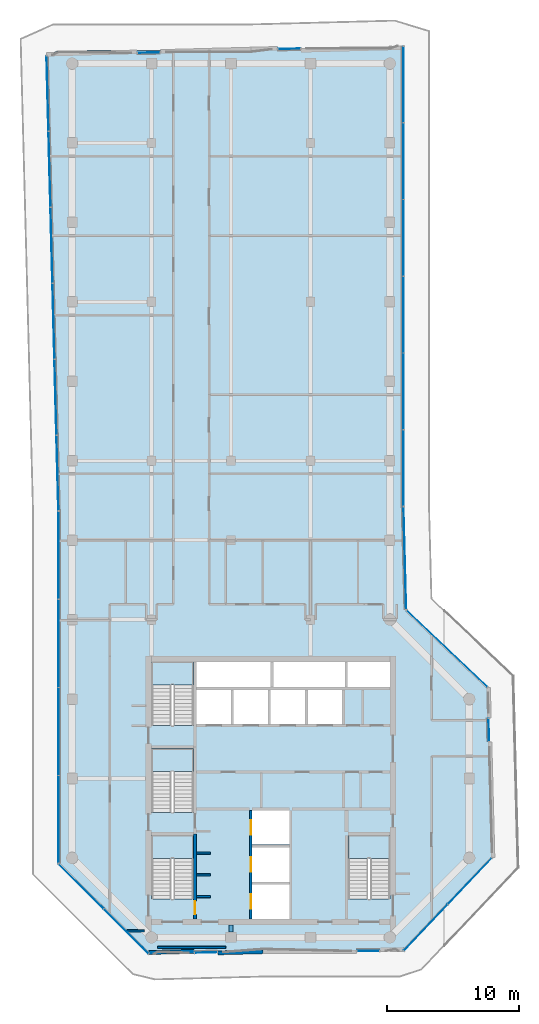
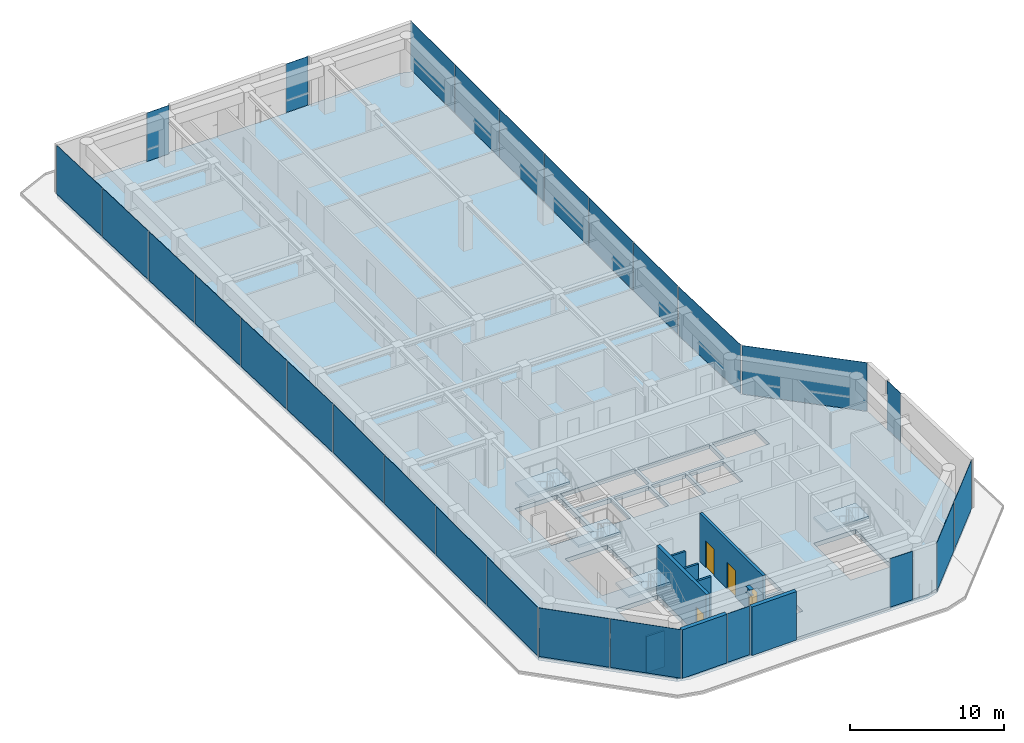
# One storey, part 15 of 20: 27 plates, 9 walls, 5 slabs, 4 doors, 1 beam, 4 openings, 16 elements without a shape of their own.
"""IFC4 building model written with IfcOpenShell, lengths in metres."""

from ifc_helpers import new_model, si_unit, direction, frame, frame_2d, origin, origin_2d, place, context, subcontext, project, spatial, polyline, rectangle, i_section, outline, extrude, material, layer, layer_set, material_profile, profile_set, type_object, element, fill, aggregate, save


model = new_model("IFC4")

# Units and contexts
model_context = context("Model", 3, precision=1e-05, world=origin(), true_north=direction((0.0, 1.0)))
body_context = subcontext(model_context, "Body", "Model", "MODEL_VIEW")
ifc_project = project(units=[si_unit("LENGTHUNIT", "METRE"), si_unit("AREAUNIT", "SQUARE_METRE"), si_unit("VOLUMEUNIT", "CUBIC_METRE"), si_unit("PLANEANGLEUNIT", "RADIAN"), si_unit("MASSUNIT", "GRAM", prefix="KILO")], contexts=[model_context])

# Site, building, storey
site_placement = place(None, origin())
site = spatial("IfcSite", under=ifc_project, at=site_placement, CompositionType="ELEMENT")
building_placement = place(site_placement, origin())
building = spatial("IfcBuilding", under=site, at=building_placement, Name="Welwitschia Terrace Campus", CompositionType="ELEMENT")
storey_placement = place(building_placement, frame((0.0, 0.0, 222.199951171875)))
storey = spatial("IfcBuildingStorey", under=building, at=storey_placement, Name="L49", CompositionType="ELEMENT", Elevation=222.199951171875)

# Beam
ifc_material_1 = material(Name="Steel S355", Category="steel")
ifc_material_profile = material_profile(ifc_material_1, i_section(OverallWidth=0.300048828125, OverallDepth=0.489990234375, WebThickness=0.011962890625, FlangeThickness=0.02294921875, FilletRadius=0.027099609375, at=origin_2d()))
ifc_profile_set = profile_set([ifc_material_profile], Name="Steel S355")
beam_type = type_object("IfcBeamType", Name="Primary beam HE 500 A", PredefinedType="BEAM", material=ifc_profile_set)
beam_placement = place(storey_placement, frame((12.0, 4.400390625, 3.60498046875), z_axis=(0.0, 1.0, 0.0), x_axis=(-1.0, 0.0, 0.0)))
element("IfcBeam", 1, at=beam_placement, inside=storey, type_object=beam_type, Name="Primary beam PB5", PredefinedType="BEAM", context=body_context, shape_type="SweptSolid", body=[
    extrude(i_section(OverallWidth=0.300048828125, OverallDepth=0.489990234375, WebThickness=0.011962890625, FlangeThickness=0.02294921875, FilletRadius=0.027099609375, at=origin_2d()), origin(), (0.0, 0.0, 1.0), 0.549560546875),
])

# Curtain wall, plates
ifc_material_2 = material(Name="Bronze anodised aluminium", Category="aluminium")
ifc_layer_1 = layer(ifc_material_2, 0.1201171875)
ifc_layer_set_1 = layer_set([ifc_layer_1], Name="Bronze anodised aluminium")
curtain_wall_type = type_object("IfcCurtainWallType", Name="Curtain wall CW2 tower 6000", PredefinedType="NOTDEFINED", material=ifc_layer_set_1)
curtain_wall_1_placement = place(storey_placement, origin())
curtain_wall_1 = element("IfcCurtainWall", 2, at=curtain_wall_1_placement, inside=storey, type_object=curtain_wall_type, Name="CW L49.0.0", PredefinedType="NOTDEFINED")
ifc_material_3 = material(Name="Tinted bronze-grey glass", Category="glass")
ifc_layer_2 = layer(ifc_material_3, 0.028076171875)
ifc_layer_set_2 = layer_set([ifc_layer_2], Name="Tinted bronze-grey glass")
plate_type = type_object("IfcPlateType", Name="Glass panel 28 tinted", PredefinedType="CURTAIN_PANEL", material=ifc_layer_set_2)
plate_1_placement = place(storey_placement, frame((-1.030029296875, 32.849365234375, 0.0), z_axis=(0.0, 0.0, 1.0), x_axis=(0.0, -1.0, 0.0)))
plate_1 = element("IfcPlate", 3, at=plate_1_placement, type_object=plate_type, Name="Panel L49.0.0.0", PredefinedType="CURTAIN_PANEL", context=body_context, shape_type="SweptSolid", body=[
    extrude(rectangle(XDim=6.564697265625, YDim=0.028076171875, at=origin_2d()), origin(), (0.0, 0.0, 1.0), 3.85009765625),
])
plate_2_placement = place(storey_placement, frame((-1.030029296875, 26.209716796875, 0.0), z_axis=(0.0, 0.0, 1.0), x_axis=(0.0, -1.0, 0.0)))
plate_2 = element("IfcPlate", 4, at=plate_2_placement, type_object=plate_type, Name="Panel L49.0.0.1", PredefinedType="CURTAIN_PANEL", context=body_context, shape_type="SweptSolid", body=[
    extrude(rectangle(XDim=6.594482421875, YDim=0.028076171875, at=origin_2d()), origin(), (0.0, 0.0, 1.0), 3.85009765625),
])
plate_3_placement = place(storey_placement, frame((-1.030029296875, 19.55517578125, 0.0), z_axis=(0.0, 0.0, 1.0), x_axis=(0.0, -1.0, 0.0)))
plate_3 = element("IfcPlate", 5, at=plate_3_placement, type_object=plate_type, Name="Panel L49.0.0.2", PredefinedType="CURTAIN_PANEL", context=body_context, shape_type="SweptSolid", body=[
    extrude(rectangle(XDim=6.594482421875, YDim=0.028076171875, at=origin_2d()), origin(), (0.0, 0.0, 1.0), 3.85009765625),
])
plate_4_placement = place(storey_placement, frame((-1.030029296875, 12.915771484375, 0.0), z_axis=(0.0, 0.0, 1.0), x_axis=(0.0, -1.0, 0.0)))
plate_4 = element("IfcPlate", 6, at=plate_4_placement, type_object=plate_type, Name="Panel L49.0.0.3", PredefinedType="CURTAIN_PANEL", context=body_context, shape_type="SweptSolid", body=[
    extrude(rectangle(XDim=6.564697265625, YDim=0.028076171875, at=origin_2d()), origin(), (0.0, 0.0, 1.0), 3.85009765625),
])
aggregate(curtain_wall_1, [plate_1, plate_2, plate_3, plate_4])

curtain_wall_2_placement = place(storey_placement, origin())
curtain_wall_2 = element("IfcCurtainWall", 7, at=curtain_wall_2_placement, inside=storey, type_object=curtain_wall_type, Name="CW L49.1.0", PredefinedType="NOTDEFINED")
plate_5_placement = place(storey_placement, frame((0.687744140625, 7.85546875, 0.0), z_axis=(0.0, 0.0, 1.0), x_axis=(0.707106781187, -0.707106781187, 0.0)))
plate_5 = element("IfcPlate", 8, at=plate_5_placement, type_object=plate_type, Name="Panel L49.1.0.0", PredefinedType="CURTAIN_PANEL", context=body_context, shape_type="SweptSolid", body=[
    extrude(rectangle(XDim=4.73876953125, YDim=0.028076171875, at=origin_2d()), origin(), (0.0, 0.0, 1.0), 3.85009765625),
])
plate_6_placement = place(storey_placement, frame((4.0810546875, 4.46240234375, 0.0), z_axis=(0.0, 0.0, 1.0), x_axis=(0.707106781187, -0.707106781187, 0.0)))
plate_6 = element("IfcPlate", 9, at=plate_6_placement, type_object=plate_type, Name="Panel L49.1.0.1", PredefinedType="CURTAIN_PANEL", context=body_context, shape_type="SweptSolid", body=[
    extrude(rectangle(XDim=4.73876953125, YDim=0.028076171875, at=origin_2d()), origin(), (0.0, 0.0, 1.0), 3.85009765625),
])
aggregate(curtain_wall_2, [plate_5, plate_6])

# Curtain wall, plate
curtain_wall_3_placement = place(storey_placement, origin())
curtain_wall_3 = element("IfcCurtainWall", 10, at=curtain_wall_3_placement, inside=storey, type_object=curtain_wall_type, Name="CW L49.2.S0", PredefinedType="NOTDEFINED")
plate_7_placement = place(storey_placement, frame((10.104736328125, 2.857177734375, 0.0), z_axis=(0.0, 0.0, 1.0), x_axis=(0.999657324976, 0.026176948308, 0.0)))
plate_7 = element("IfcPlate", 11, at=plate_7_placement, type_object=plate_type, Name="Panel L49.2.S0.0", PredefinedType="CURTAIN_PANEL", context=body_context, shape_type="SweptSolid", body=[
    extrude(rectangle(XDim=1.679931640625, YDim=0.028076171875, at=origin_2d()), origin(), (0.0, 0.0, 1.0), 3.85009765625),
])
aggregate(curtain_wall_3, [plate_7])

curtain_wall_4_placement = place(storey_placement, origin())
curtain_wall_4 = element("IfcCurtainWall", 12, at=curtain_wall_4_placement, inside=storey, type_object=curtain_wall_type, Name="CW L49.3.S0", PredefinedType="NOTDEFINED")
plate_8_placement = place(storey_placement, frame((22.373046875, 2.969970703125, 0.0), z_axis=(0.0, 0.0, 1.0), x_axis=(1.0, 0.0, 0.0)))
plate_8 = element("IfcPlate", 13, at=plate_8_placement, type_object=plate_type, Name="Panel L49.3.S0.0", PredefinedType="CURTAIN_PANEL", context=body_context, shape_type="SweptSolid", body=[
    extrude(rectangle(XDim=1.679931640625, YDim=0.028076171875, at=origin_2d()), origin(), (0.0, 0.0, 1.0), 3.85009765625),
])
aggregate(curtain_wall_4, [plate_8])

# Curtain wall, plates
curtain_wall_5_placement = place(storey_placement, origin())
curtain_wall_5 = element("IfcCurtainWall", 14, at=curtain_wall_5_placement, inside=storey, type_object=curtain_wall_type, Name="CW L49.4.0", PredefinedType="NOTDEFINED")
plate_9_placement = place(storey_placement, frame((26.71240234375, 4.74560546875, 0.0), z_axis=(0.0, 0.0, 1.0), x_axis=(0.688354575694, 0.725374371012, 0.0)))
plate_9 = element("IfcPlate", 15, at=plate_9_placement, type_object=plate_type, Name="Panel L49.4.0.0", PredefinedType="CURTAIN_PANEL", context=body_context, shape_type="SweptSolid", body=[
    extrude(rectangle(XDim=4.77587890625, YDim=0.028076171875, at=origin_2d()), origin(), (0.0, 0.0, 1.0), 3.85009765625),
])
plate_10_placement = place(storey_placement, frame((30.041015625, 8.25341796875, 0.0), z_axis=(0.0, 0.0, 1.0), x_axis=(0.688354575694, 0.725374371012, 0.0)))
plate_10 = element("IfcPlate", 16, at=plate_10_placement, type_object=plate_type, Name="Panel L49.4.0.1", PredefinedType="CURTAIN_PANEL", context=body_context, shape_type="SweptSolid", body=[
    extrude(rectangle(XDim=4.77587890625, YDim=0.028076171875, at=origin_2d()), origin(), (0.0, 0.0, 1.0), 3.85009765625),
])
aggregate(curtain_wall_5, [plate_9, plate_10])

# Curtain wall, plate
curtain_wall_6_placement = place(storey_placement, origin())
curtain_wall_6 = element("IfcCurtainWall", 17, at=curtain_wall_6_placement, inside=storey, type_object=curtain_wall_type, Name="CW L49.5.S0", PredefinedType="NOTDEFINED")
plate_11_placement = place(storey_placement, frame((31.4736328125, 19.665771484375, 0.0), z_axis=(0.0, 0.0, 1.0), x_axis=(-0.026176948308, 0.999657324976, 0.0)))
plate_11 = element("IfcPlate", 18, at=plate_11_placement, type_object=plate_type, Name="Panel L49.5.S0.0", PredefinedType="CURTAIN_PANEL", context=body_context, shape_type="SweptSolid", body=[
    extrude(rectangle(XDim=1.679931640625, YDim=0.028076171875, at=origin_2d()), origin(), (0.0, 0.0, 1.0), 3.85009765625),
])
aggregate(curtain_wall_6, [plate_11])

curtain_wall_7_placement = place(storey_placement, origin())
curtain_wall_7 = element("IfcCurtainWall", 19, at=curtain_wall_7_placement, inside=storey, type_object=curtain_wall_type, Name="CW L49.6.0", PredefinedType="NOTDEFINED")
plate_12_placement = place(storey_placement, frame((28.31201171875, 25.79833984375, 0.0), z_axis=(0.0, 0.0, 1.0), x_axis=(-0.725374371012, 0.688354575694, 0.0)))
plate_12 = element("IfcPlate", 20, at=plate_12_placement, type_object=plate_type, Name="Panel L49.6.0.0", PredefinedType="CURTAIN_PANEL", context=body_context, shape_type="SweptSolid", body=[
    extrude(rectangle(XDim=8.365234375, YDim=0.028076171875, at=origin_2d()), origin(), (0.0, 0.0, 1.0), 3.85009765625),
])
aggregate(curtain_wall_7, [plate_12])

curtain_wall_8_placement = place(storey_placement, origin())
curtain_wall_8 = element("IfcCurtainWall", 21, at=curtain_wall_8_placement, inside=storey, type_object=curtain_wall_type, Name="CW L49.7.0", PredefinedType="NOTDEFINED")
plate_13_placement = place(storey_placement, frame((25.13232421875, 32.625732421875, 0.0), z_axis=(0.0, 0.0, 1.0), x_axis=(-0.026176948308, 0.999657324976, 0.0)))
plate_13 = element("IfcPlate", 22, at=plate_13_placement, type_object=plate_type, Name="Panel L49.7.0.0", PredefinedType="CURTAIN_PANEL", context=body_context, shape_type="SweptSolid", body=[
    extrude(rectangle(XDim=7.69677734375, YDim=0.028076171875, at=origin_2d()), origin(), (0.0, 0.0, 1.0), 3.85009765625),
])
aggregate(curtain_wall_8, [plate_13])

# Curtain wall, plates
curtain_wall_9_placement = place(storey_placement, origin())
curtain_wall_9 = element("IfcCurtainWall", 23, at=curtain_wall_9_placement, inside=storey, type_object=curtain_wall_type, Name="CW L49.8.0", PredefinedType="NOTDEFINED")
plate_14_placement = place(storey_placement, frame((25.030029296875, 39.44775390625, 0.0), z_axis=(0.0, 0.0, 1.0), x_axis=(0.0, 1.0, 0.0)))
plate_14 = element("IfcPlate", 24, at=plate_14_placement, type_object=plate_type, Name="Panel L49.8.0.0", PredefinedType="CURTAIN_PANEL", context=body_context, shape_type="SweptSolid", body=[
    extrude(rectangle(XDim=5.709716796875, YDim=0.028076171875, at=origin_2d()), origin(), (0.0, 0.0, 1.0), 3.85009765625),
])
plate_15_placement = place(storey_placement, frame((25.030029296875, 45.232421875, 0.0), z_axis=(0.0, 0.0, 1.0), x_axis=(0.0, 1.0, 0.0)))
plate_15 = element("IfcPlate", 25, at=plate_15_placement, type_object=plate_type, Name="Panel L49.8.0.1", PredefinedType="CURTAIN_PANEL", context=body_context, shape_type="SweptSolid", body=[
    extrude(rectangle(XDim=5.73974609375, YDim=0.028076171875, at=origin_2d()), origin(), (0.0, 0.0, 1.0), 3.85009765625),
])
plate_16_placement = place(storey_placement, frame((25.030029296875, 51.0322265625, 0.0), z_axis=(0.0, 0.0, 1.0), x_axis=(0.0, 1.0, 0.0)))
plate_16 = element("IfcPlate", 26, at=plate_16_placement, type_object=plate_type, Name="Panel L49.8.0.2", PredefinedType="CURTAIN_PANEL", context=body_context, shape_type="SweptSolid", body=[
    extrude(rectangle(XDim=5.73974609375, YDim=0.028076171875, at=origin_2d()), origin(), (0.0, 0.0, 1.0), 3.85009765625),
])
plate_17_placement = place(storey_placement, frame((25.030029296875, 56.83203125, 0.0), z_axis=(0.0, 0.0, 1.0), x_axis=(0.0, 1.0, 0.0)))
plate_17 = element("IfcPlate", 27, at=plate_17_placement, type_object=plate_type, Name="Panel L49.8.0.3", PredefinedType="CURTAIN_PANEL", context=body_context, shape_type="SweptSolid", body=[
    extrude(rectangle(XDim=5.73974609375, YDim=0.028076171875, at=origin_2d()), origin(), (0.0, 0.0, 1.0), 3.85009765625),
])
plate_18_placement = place(storey_placement, frame((25.030029296875, 62.6318359375, 0.0), z_axis=(0.0, 0.0, 1.0), x_axis=(0.0, 1.0, 0.0)))
plate_18 = element("IfcPlate", 28, at=plate_18_placement, type_object=plate_type, Name="Panel L49.8.0.4", PredefinedType="CURTAIN_PANEL", context=body_context, shape_type="SweptSolid", body=[
    extrude(rectangle(XDim=5.73974609375, YDim=0.028076171875, at=origin_2d()), origin(), (0.0, 0.0, 1.0), 3.85009765625),
])
plate_19_placement = place(storey_placement, frame((25.030029296875, 68.41650390625, 0.0), z_axis=(0.0, 0.0, 1.0), x_axis=(0.0, 1.0, 0.0)))
plate_19 = element("IfcPlate", 29, at=plate_19_placement, type_object=plate_type, Name="Panel L49.8.0.5", PredefinedType="CURTAIN_PANEL", context=body_context, shape_type="SweptSolid", body=[
    extrude(rectangle(XDim=5.709716796875, YDim=0.028076171875, at=origin_2d()), origin(), (0.0, 0.0, 1.0), 3.85009765625),
])
aggregate(curtain_wall_9, [plate_14, plate_15, plate_16, plate_17, plate_18, plate_19])

# Curtain wall, plate
curtain_wall_10_placement = place(storey_placement, origin())
curtain_wall_10 = element("IfcCurtainWall", 30, at=curtain_wall_10_placement, inside=storey, type_object=curtain_wall_type, Name="CW L49.9.S0", PredefinedType="NOTDEFINED")
plate_20_placement = place(storey_placement, frame((16.397216796875, 71.10546875, 0.0), z_axis=(0.0, 0.0, 1.0), x_axis=(-0.999657324976, -0.026176948308, 0.0)))
plate_20 = element("IfcPlate", 31, at=plate_20_placement, type_object=plate_type, Name="Panel L49.9.S0.0", PredefinedType="CURTAIN_PANEL", context=body_context, shape_type="SweptSolid", body=[
    extrude(rectangle(XDim=1.679931640625, YDim=0.028076171875, at=origin_2d()), origin(), (0.0, 0.0, 1.0), 3.85009765625),
])
aggregate(curtain_wall_10, [plate_20])

curtain_wall_11_placement = place(storey_placement, origin())
curtain_wall_11 = element("IfcCurtainWall", 32, at=curtain_wall_11_placement, inside=storey, type_object=curtain_wall_type, Name="CW L49.10.S0", PredefinedType="NOTDEFINED")
plate_21_placement = place(storey_placement, frame((5.7939453125, 70.82275390625, 0.0), z_axis=(0.0, 0.0, 1.0), x_axis=(-0.999640164579, -0.026824268136, 0.0)))
plate_21 = element("IfcPlate", 33, at=plate_21_placement, type_object=plate_type, Name="Panel L49.10.S0.0", PredefinedType="CURTAIN_PANEL", context=body_context, shape_type="SweptSolid", body=[
    extrude(rectangle(XDim=1.679931640625, YDim=0.028076171875, at=origin_2d()), origin(), (0.0, 0.0, 1.0), 3.85009765625),
])
aggregate(curtain_wall_11, [plate_21])

# Curtain wall, plates
curtain_wall_12_placement = place(storey_placement, origin())
curtain_wall_12 = element("IfcCurtainWall", 34, at=curtain_wall_12_placement, inside=storey, type_object=curtain_wall_type, Name="CW L49.11.0", PredefinedType="NOTDEFINED")
plate_22_placement = place(storey_placement, frame((-1.85595703125, 67.731689453125, 0.0), z_axis=(0.0, 0.0, 1.0), x_axis=(0.026176948308, -0.999657324976, 0.0)))
plate_22 = element("IfcPlate", 35, at=plate_22_placement, type_object=plate_type, Name="Panel L49.11.0.0", PredefinedType="CURTAIN_PANEL", context=body_context, shape_type="SweptSolid", body=[
    extrude(rectangle(XDim=5.649169921875, YDim=0.028076171875, at=origin_2d()), origin(), (0.0, 0.0, 1.0), 3.85009765625),
])
plate_23_placement = place(storey_placement, frame((-1.7060546875, 62.009521484375, 0.0), z_axis=(0.0, 0.0, 1.0), x_axis=(0.026176948308, -0.999657324976, 0.0)))
plate_23 = element("IfcPlate", 36, at=plate_23_placement, type_object=plate_type, Name="Panel L49.11.0.1", PredefinedType="CURTAIN_PANEL", context=body_context, shape_type="SweptSolid", body=[
    extrude(rectangle(XDim=5.67919921875, YDim=0.028076171875, at=origin_2d()), origin(), (0.0, 0.0, 1.0), 3.85009765625),
])
plate_24_placement = place(storey_placement, frame((-1.555908203125, 56.272216796875, 0.0), z_axis=(0.0, 0.0, 1.0), x_axis=(0.026176948308, -0.999657324976, 0.0)))
plate_24 = element("IfcPlate", 37, at=plate_24_placement, type_object=plate_type, Name="Panel L49.11.0.2", PredefinedType="CURTAIN_PANEL", context=body_context, shape_type="SweptSolid", body=[
    extrude(rectangle(XDim=5.67919921875, YDim=0.028076171875, at=origin_2d()), origin(), (0.0, 0.0, 1.0), 3.85009765625),
])
plate_25_placement = place(storey_placement, frame((-1.405517578125, 50.534912109375, 0.0), z_axis=(0.0, 0.0, 1.0), x_axis=(0.026176948308, -0.999657324976, 0.0)))
plate_25 = element("IfcPlate", 38, at=plate_25_placement, type_object=plate_type, Name="Panel L49.11.0.3", PredefinedType="CURTAIN_PANEL", context=body_context, shape_type="SweptSolid", body=[
    extrude(rectangle(XDim=5.67919921875, YDim=0.028076171875, at=origin_2d()), origin(), (0.0, 0.0, 1.0), 3.85009765625),
])
plate_26_placement = place(storey_placement, frame((-1.25537109375, 44.797607421875, 0.0), z_axis=(0.0, 0.0, 1.0), x_axis=(0.026176948308, -0.999657324976, 0.0)))
plate_26 = element("IfcPlate", 39, at=plate_26_placement, type_object=plate_type, Name="Panel L49.11.0.4", PredefinedType="CURTAIN_PANEL", context=body_context, shape_type="SweptSolid", body=[
    extrude(rectangle(XDim=5.67919921875, YDim=0.028076171875, at=origin_2d()), origin(), (0.0, 0.0, 1.0), 3.85009765625),
])
plate_27_placement = place(storey_placement, frame((-1.10546875, 39.075439453125, 0.0), z_axis=(0.0, 0.0, 1.0), x_axis=(0.026176948308, -0.999657324976, 0.0)))
plate_27 = element("IfcPlate", 40, at=plate_27_placement, type_object=plate_type, Name="Panel L49.11.0.5", PredefinedType="CURTAIN_PANEL", context=body_context, shape_type="SweptSolid", body=[
    extrude(rectangle(XDim=5.649169921875, YDim=0.028076171875, at=origin_2d()), origin(), (0.0, 0.0, 1.0), 3.85009765625),
])
aggregate(curtain_wall_12, [plate_22, plate_23, plate_24, plate_25, plate_26, plate_27])

# Stair, slab
ifc_material_4 = material(Name="Concrete C40/50", Category="concrete")
stair_type = type_object("IfcStairType", Name="Stair 24R 175 W1500", PredefinedType="HALF_TURN_STAIR", material=ifc_material_4)
stair_1_placement = place(storey_placement, origin())
stair_1 = element("IfcStair", 41, at=stair_1_placement, inside=storey, type_object=stair_type, Name="L49 Exit stair S1", PredefinedType="HALF_TURN_STAIR")
ifc_material_5 = material(Name="Concrete C40/50", Category="concrete")
ifc_layer_3 = layer(ifc_material_5, 0.199951171875)
ifc_layer_set_3 = layer_set([ifc_layer_3], Name="Concrete C40/50")
slab_type_1 = type_object("IfcSlabType", Name="Stair landing RC", PredefinedType="LANDING", material=ifc_layer_set_3)
slab_1_placement = place(storey_placement, frame((0.0, 0.0, 1.900146484375)))
slab_1 = element("IfcSlab", 42, at=slab_1_placement, type_object=slab_type_1, Name="S1 landing 1", PredefinedType="LANDING", context=body_context, shape_type="SweptSolid", body=[
    extrude(outline(polyline([(9.14990234375, 9.97998046875), (9.14990234375, 11.699951171875), (6.0, 11.699951171875), (6.0, 9.97998046875), (9.14990234375, 9.97998046875)])), origin(), (0.0, 0.0, 1.0), 0.199951171875),
])
aggregate(stair_1, [slab_1])

stair_2_placement = place(storey_placement, origin())
stair_2 = element("IfcStair", 43, at=stair_2_placement, inside=storey, type_object=stair_type, Name="L49 Exit stair S3", PredefinedType="HALF_TURN_STAIR")
slab_2_placement = place(storey_placement, frame((0.0, 0.0, 1.900146484375)))
slab_2 = element("IfcSlab", 44, at=slab_2_placement, type_object=slab_type_1, Name="S3 landing 1", PredefinedType="LANDING", context=body_context, shape_type="SweptSolid", body=[
    extrude(outline(polyline([(9.14990234375, 16.530029296875), (9.14990234375, 18.25), (6.0, 18.25), (6.0, 16.530029296875), (9.14990234375, 16.530029296875)])), origin(), (0.0, 0.0, 1.0), 0.199951171875),
])
aggregate(stair_2, [slab_2])

stair_3_placement = place(storey_placement, origin())
stair_3 = element("IfcStair", 45, at=stair_3_placement, inside=storey, type_object=stair_type, Name="L49 Exit stair S4", PredefinedType="HALF_TURN_STAIR")
slab_3_placement = place(storey_placement, frame((0.0, 0.0, 1.900146484375)))
slab_3 = element("IfcSlab", 46, at=slab_3_placement, type_object=slab_type_1, Name="S4 landing 1", PredefinedType="LANDING", context=body_context, shape_type="SweptSolid", body=[
    extrude(outline(polyline([(9.14990234375, 23.080078125), (9.14990234375, 24.800048828125), (6.0, 24.800048828125), (6.0, 23.080078125), (9.14990234375, 23.080078125)])), origin(), (0.0, 0.0, 1.0), 0.199951171875),
])
aggregate(stair_3, [slab_3])

stair_4_placement = place(storey_placement, origin())
stair_4 = element("IfcStair", 47, at=stair_4_placement, inside=storey, type_object=stair_type, Name="L49 Exit stair S2", PredefinedType="HALF_TURN_STAIR")
slab_4_placement = place(storey_placement, frame((0.0, 0.0, 1.900146484375)))
slab_4 = element("IfcSlab", 48, at=slab_4_placement, type_object=slab_type_1, Name="S2 landing 1", PredefinedType="LANDING", context=body_context, shape_type="SweptSolid", body=[
    extrude(outline(polyline([(24.0, 9.97998046875), (24.0, 11.699951171875), (20.85009765625, 11.699951171875), (20.85009765625, 9.97998046875), (24.0, 9.97998046875)])), origin(), (0.0, 0.0, 1.0), 0.199951171875),
])
aggregate(stair_4, [slab_4])

# Slab
ifc_material_6 = material(Name="Concrete C40/50", Category="concrete")
ifc_layer_4 = layer(ifc_material_6, 0.35009765625)
ifc_layer_set_4 = layer_set([ifc_layer_4], Name="Concrete C40/50")
slab_type_2 = type_object("IfcSlabType", Name="Suspended floor slab 350", PredefinedType="FLOOR", material=ifc_layer_set_4)
slab_5_placement = place(storey_placement, frame((0.0, 0.0, -0.349853515625)))
element("IfcSlab", 49, at=slab_5_placement, inside=storey, type_object=slab_type_2, Name="Floor slab L49", PredefinedType="FLOOR", context=body_context, shape_type="SweptSolid", body=[
    extrude(outline(polyline([(-1.90087890625, 70.59619140625), (-1.0, 71.0), (13.52001953125, 71.0), (24.090087890625, 71.27685546875), (25.0, 71.0), (25.0, 36.532470703125), (25.204833984375, 28.70556640625), (31.35986328125, 22.86474609375), (31.69580078125, 10.040771484375), (25.28466796875, 3.28466796875), (24.414306640625, 3.0), (14.41015625, 3.0), (6.462646484375, 2.7919921875), (5.585693359375, 3.0), (-1.0, 9.585693359375), (-1.0, 36.192138671875), (-1.90087890625, 70.59619140625)]), holes=[polyline([(13.60009765625, 8.0), (13.60009765625, 5.39990234375), (16.39990234375, 5.39990234375), (16.39990234375, 8.0), (13.60009765625, 8.0)]), polyline([(9.14990234375, 11.699951171875), (6.0, 11.699951171875), (6.0, 6.902099609375), (9.14990234375, 6.902099609375), (9.14990234375, 11.699951171875)]), polyline([(9.14990234375, 18.25), (6.0, 18.25), (6.0, 13.451904296875), (9.14990234375, 13.451904296875), (9.14990234375, 18.25)]), polyline([(12.0, 22.699951171875), (9.39990234375, 22.699951171875), (9.39990234375, 20.10009765625), (12.0, 20.10009765625), (12.0, 22.699951171875)]), polyline([(14.800048828125, 22.699951171875), (12.199951171875, 22.699951171875), (12.199951171875, 20.10009765625), (14.800048828125, 20.10009765625), (14.800048828125, 22.699951171875)]), polyline([(9.14990234375, 24.800048828125), (6.0, 24.800048828125), (6.0, 20.001953125), (9.14990234375, 20.001953125), (9.14990234375, 24.800048828125)]), polyline([(15.0, 24.800048828125), (9.39990234375, 24.800048828125), (9.39990234375, 22.89990234375), (15.0, 22.89990234375), (15.0, 24.800048828125)]), polyline([(20.85009765625, 11.699951171875), (20.85009765625, 6.902099609375), (24.0, 6.902099609375), (24.0, 11.699951171875), (20.85009765625, 11.699951171875)]), polyline([(16.39990234375, 10.800048828125), (13.60009765625, 10.800048828125), (13.60009765625, 8.199951171875), (16.39990234375, 8.199951171875), (16.39990234375, 10.800048828125)]), polyline([(16.39990234375, 13.60009765625), (13.60009765625, 13.60009765625), (13.60009765625, 11.0), (16.39990234375, 11.0), (16.39990234375, 13.60009765625)]), polyline([(17.60009765625, 22.699951171875), (15.0, 22.699951171875), (15.0, 20.10009765625), (17.60009765625, 20.10009765625), (17.60009765625, 22.699951171875)]), polyline([(20.39990234375, 22.699951171875), (17.800048828125, 22.699951171875), (17.800048828125, 20.10009765625), (20.39990234375, 20.10009765625), (20.39990234375, 22.699951171875)]), polyline([(20.60009765625, 24.800048828125), (15.199951171875, 24.800048828125), (15.199951171875, 22.89990234375), (20.60009765625, 22.89990234375), (20.60009765625, 24.800048828125)]), polyline([(24.0, 24.800048828125), (20.800048828125, 24.800048828125), (20.800048828125, 22.89990234375), (24.0, 22.89990234375), (24.0, 24.800048828125)])]), origin(), (0.0, 0.0, 1.0), 0.349853515625),
])

# Walls
ifc_material_7 = material(Name="Concrete C50/60", Category="concrete")
ifc_layer_5 = layer(ifc_material_7, 0.14990234375)
ifc_layer_set_5 = layer_set([ifc_layer_5], Name="Concrete C50/60")
wall_type_1 = type_object("IfcWallType", Name="Core wall 150 Concrete C50/60", PredefinedType="SHEAR", material=ifc_layer_set_5)
for number, where, z_axis, x_axis, name in (
    (50, (9.39990234375, 7.074951171875, 0.0), (0.0, 0.0, 1.0), (1.0, 0.0, 0.0), "Core wall"),
    (51, (9.39990234375, 8.72509765625, 0.0), (0.0, 0.0, 1.0), (1.0, 0.0, 0.0), "Core wall"),
    (52, (9.39990234375, 10.375, 0.0), (0.0, 0.0, 1.0), (1.0, 0.0, 0.0), "Core wall"),
):
    element("IfcWall", number, at=place(storey_placement, frame(where, z_axis=z_axis, x_axis=x_axis)), inside=storey, type_object=wall_type_1, Name=name, PredefinedType="SHEAR", context=body_context, shape_type="SweptSolid", body=[
        extrude(rectangle(XDim=1.050048828125, YDim=0.14990234375, at=frame_2d((0.52490234375, 0.0))), origin(), (0.0, 0.0, 1.0), 3.85009765625),
    ])

# Wall, openings, doors
ifc_material_8 = material(Name="Concrete C50/60", Category="concrete")
ifc_layer_6 = layer(ifc_material_8, 0.199951171875)
ifc_layer_set_6 = layer_set([ifc_layer_6], Name="Concrete C50/60")
wall_type_2 = type_object("IfcWallType", Name="Core wall 200 Concrete C50/60", PredefinedType="SHEAR", material=ifc_layer_set_6)
wall_1_placement = place(storey_placement, frame((13.5, 5.39990234375, 0.0), z_axis=(0.0, 0.0, 1.0), x_axis=(0.0, 1.0, 0.0)))
wall_1 = element("IfcWall", 53, at=wall_1_placement, inside=storey, type_object=wall_type_2, Name="Core wall", PredefinedType="SHEAR", context=body_context, shape_type="SweptSolid", body=[
    extrude(rectangle(XDim=8.2001953125, YDim=0.199951171875, at=frame_2d((4.10009765625, 0.0))), origin(), (0.0, 0.0, 1.0), 3.85009765625),
])
opening_1_placement = place(wall_1_placement, frame((0.75, 0.0, 0.0)))
opening_1 = element("IfcOpeningElement", 54, at=opening_1_placement, cuts=wall_1, Name="Opening LD", PredefinedType="OPENING", context=body_context, shape_type="SweptSolid", body=[
    extrude(rectangle(XDim=1.10009765625, YDim=2.10009765625, at=frame_2d((0.550048828125, 1.050048828125))), frame((0.0, 0.10986328125, 0.0), z_axis=(0.0, -1.0, 0.0), x_axis=(1.0, 0.0, 0.0)), (0.0, 0.0, 1.0), 0.219970703125),
])
opening_2_placement = place(wall_1_placement, frame((3.550048828125, 0.0, 0.0)))
opening_2 = element("IfcOpeningElement", 55, at=opening_2_placement, cuts=wall_1, Name="Opening LD", PredefinedType="OPENING", context=body_context, shape_type="SweptSolid", body=[
    extrude(rectangle(XDim=1.10009765625, YDim=2.10009765625, at=frame_2d((0.550048828125, 1.050048828125))), frame((0.0, 0.10986328125, 0.0), z_axis=(0.0, -1.0, 0.0), x_axis=(1.0, 0.0, 0.0)), (0.0, 0.0, 1.0), 0.219970703125),
])
opening_3_placement = place(wall_1_placement, frame((6.35009765625, 0.0, 0.0)))
opening_3 = element("IfcOpeningElement", 56, at=opening_3_placement, cuts=wall_1, Name="Opening LD", PredefinedType="OPENING", context=body_context, shape_type="SweptSolid", body=[
    extrude(rectangle(XDim=1.10009765625, YDim=2.10009765625, at=frame_2d((0.550048828125, 1.050048828125))), frame((0.0, 0.10986328125, 0.0), z_axis=(0.0, -1.0, 0.0), x_axis=(1.0, 0.0, 0.0)), (0.0, 0.0, 1.0), 0.219970703125),
])
ifc_material_9 = material(Name="Stainless steel 304", Category="steel")
door_type_1 = type_object("IfcDoorType", Name="Lift landing door", OperationType="DOUBLE_DOOR_SLIDING", PredefinedType="DOOR", material=ifc_material_9)
door_1_placement = place(opening_1_placement, origin())
door_1 = element("IfcDoor", 57, at=door_1_placement, inside=storey, type_object=door_type_1, Name="Landing door FF1", OperationType="DOUBLE_DOOR_SLIDING", OverallHeight=2.10009765625, OverallWidth=1.10009765625, PredefinedType="DOOR", context=body_context, shape_type="SweptSolid", body=[
    extrude(rectangle(XDim=1.10009765625, YDim=2.10009765625, at=frame_2d((0.550048828125, 1.050048828125))), frame((0.0, 0.02490234375, 0.0), z_axis=(0.0, -1.0, 0.0), x_axis=(1.0, 0.0, 0.0)), (0.0, 0.0, 1.0), 0.050048828125),
])
fill(opening_1, door_1)
door_2_placement = place(opening_2_placement, origin())
door_2 = element("IfcDoor", 58, at=door_2_placement, inside=storey, type_object=door_type_1, Name="Landing door FF2", OperationType="DOUBLE_DOOR_SLIDING", OverallHeight=2.10009765625, OverallWidth=1.10009765625, PredefinedType="DOOR", context=body_context, shape_type="SweptSolid", body=[
    extrude(rectangle(XDim=1.10009765625, YDim=2.10009765625, at=frame_2d((0.550048828125, 1.050048828125))), frame((0.0, 0.02490234375, 0.0), z_axis=(0.0, -1.0, 0.0), x_axis=(1.0, 0.0, 0.0)), (0.0, 0.0, 1.0), 0.050048828125),
])
fill(opening_2, door_2)
door_3_placement = place(opening_3_placement, origin())
door_3 = element("IfcDoor", 59, at=door_3_placement, inside=storey, type_object=door_type_1, Name="Landing door SV1", OperationType="DOUBLE_DOOR_SLIDING", OverallHeight=2.10009765625, OverallWidth=1.10009765625, PredefinedType="DOOR", context=body_context, shape_type="SweptSolid", body=[
    extrude(rectangle(XDim=1.10009765625, YDim=2.10009765625, at=frame_2d((0.550048828125, 1.050048828125))), frame((0.0, 0.02490234375, 0.0), z_axis=(0.0, -1.0, 0.0), x_axis=(1.0, 0.0, 0.0)), (0.0, 0.0, 1.0), 0.050048828125),
])
fill(opening_3, door_3)

# Wall, opening, door
ifc_material_10 = material(Name="Concrete C50/60", Category="concrete")
ifc_layer_7 = layer(ifc_material_10, 0.25)
ifc_layer_set_7 = layer_set([ifc_layer_7], Name="Concrete C50/60")
wall_type_3 = type_object("IfcWallType", Name="Core wall 250 Concrete C50/60", PredefinedType="SHEAR", material=ifc_layer_set_7)
wall_2_placement = place(storey_placement, frame((9.27490234375, 11.824951171875, 0.0), z_axis=(0.0, 0.0, 1.0), x_axis=(0.0, -1.0, 0.0)))
wall_2 = element("IfcWall", 60, at=wall_2_placement, inside=storey, type_object=wall_type_3, Name="Core wall", PredefinedType="SHEAR", context=body_context, shape_type="SweptSolid", body=[
    extrude(rectangle(XDim=6.425048828125, YDim=0.25, at=frame_2d((3.21240234375, 0.0))), origin(), (0.0, 0.0, 1.0), 3.85009765625),
])
opening_4_placement = place(wall_2_placement, frame((5.074951171875, 0.0, 0.0)))
opening_4 = element("IfcOpeningElement", 61, at=opening_4_placement, cuts=wall_2, Name="Opening DS10", PredefinedType="OPENING", context=body_context, shape_type="SweptSolid", body=[
    extrude(rectangle(XDim=1.0, YDim=2.10009765625, at=frame_2d((0.5, 1.050048828125))), frame((0.0, 0.135009765625, 0.0), z_axis=(0.0, -1.0, 0.0), x_axis=(1.0, 0.0, 0.0)), (0.0, 0.0, 1.0), 0.27001953125),
])
ifc_material_11 = material(Name="Steel S275", Category="steel")
door_type_2 = type_object("IfcDoorType", Name="Core door DS10", OperationType="SINGLE_SWING_LEFT", PredefinedType="DOOR", material=ifc_material_11)
door_4_placement = place(opening_4_placement, origin())
door_4 = element("IfcDoor", 62, at=door_4_placement, inside=storey, type_object=door_type_2, Name="Door S1-FL", OperationType="SINGLE_SWING_RIGHT", OverallHeight=2.10009765625, OverallWidth=1.0, PredefinedType="DOOR", context=body_context, shape_type="SweptSolid", body=[
    extrude(rectangle(XDim=1.0, YDim=2.10009765625, at=frame_2d((0.5, 1.050048828125))), frame((0.0, 0.02490234375, 0.0), z_axis=(0.0, -1.0, 0.0), x_axis=(1.0, 0.0, 0.0)), (0.0, 0.0, 1.0), 0.050048828125),
])
fill(opening_4, door_4)

# Walls
ifc_material_12 = material(Name="Gypsum board on steel studs", Category="steel")
ifc_layer_8 = layer(ifc_material_12, 0.14990234375)
ifc_layer_set_8 = layer_set([ifc_layer_8], Name="Gypsum board on steel studs")
wall_type_4 = type_object("IfcWallType", Name="Corridor partition 150 EI 30", PredefinedType="PARTITIONING", material=ifc_layer_set_8)
wall_3_placement = place(storey_placement, frame((4.110107421875, 4.5, 0.0), z_axis=(0.0, 0.0, 1.0), x_axis=(1.0, 0.0, 0.0)))
element("IfcWall", 63, at=wall_3_placement, inside=storey, type_object=wall_type_4, Name="Partition", PredefinedType="PARTITIONING", context=body_context, shape_type="SweptSolid", body=[
    extrude(rectangle(XDim=1.33984375, YDim=0.14990234375, at=frame_2d((0.669921875, 0.0))), origin(), (0.0, 0.0, 1.0), 2.880126953125),
])
wall_4_placement = place(storey_placement, frame((6.4599609375, 3.25, 0.0), z_axis=(0.0, 0.0, 1.0), x_axis=(1.0, 0.0, 0.0)))
element("IfcWall", 64, at=wall_4_placement, inside=storey, type_object=wall_type_4, Name="Partition", PredefinedType="PARTITIONING", context=body_context, shape_type="SweptSolid", body=[
    extrude(rectangle(XDim=5.130126953125, YDim=0.14990234375, at=frame_2d((2.56494140625, 0.0))), origin(), (0.0, 0.0, 1.0), 2.880126953125),
])
ifc_material_13 = material(Name="Concrete C40/50", Category="concrete")
ifc_layer_9 = layer(ifc_material_13, 0.300048828125)
ifc_layer_set_9 = layer_set([ifc_layer_9], Name="Concrete C40/50")
wall_type_5 = type_object("IfcWallType", Name="Mass wall 300", PredefinedType="SOLIDWALL", material=ifc_layer_set_9)
wall_5_placement = place(storey_placement, frame((5.7958984375, 2.856689453125, 0.0), z_axis=(0.0, 0.0, 1.0), x_axis=(0.999656048357, 0.026225655057, 0.0)))
element("IfcWall", 65, at=wall_5_placement, inside=storey, type_object=wall_type_5, Name="Mass wall L49.2.0", PredefinedType="SOLIDWALL", context=body_context, shape_type="SweptSolid", body=[
    extrude(rectangle(XDim=3.4072265625, YDim=0.300048828125, at=frame_2d((1.70361328125, 0.0))), origin(), (0.0, 0.0, 1.0), 3.85009765625),
])
wall_6_placement = place(storey_placement, frame((11.005615234375, 2.830810546875, 0.0), z_axis=(0.0, 0.0, 1.0), x_axis=(0.999657973353, 0.026152176052, 0.0)))
element("IfcWall", 66, at=wall_6_placement, inside=storey, type_object=wall_type_5, Name="Mass wall L49.2.1", PredefinedType="SOLIDWALL", context=body_context, shape_type="SweptSolid", body=[
    extrude(rectangle(XDim=3.407470703125, YDim=0.300048828125, at=frame_2d((1.70361328125, 0.0))), origin(), (0.0, 0.0, 1.0), 3.85009765625),
])

save(model, "model.ifc")
